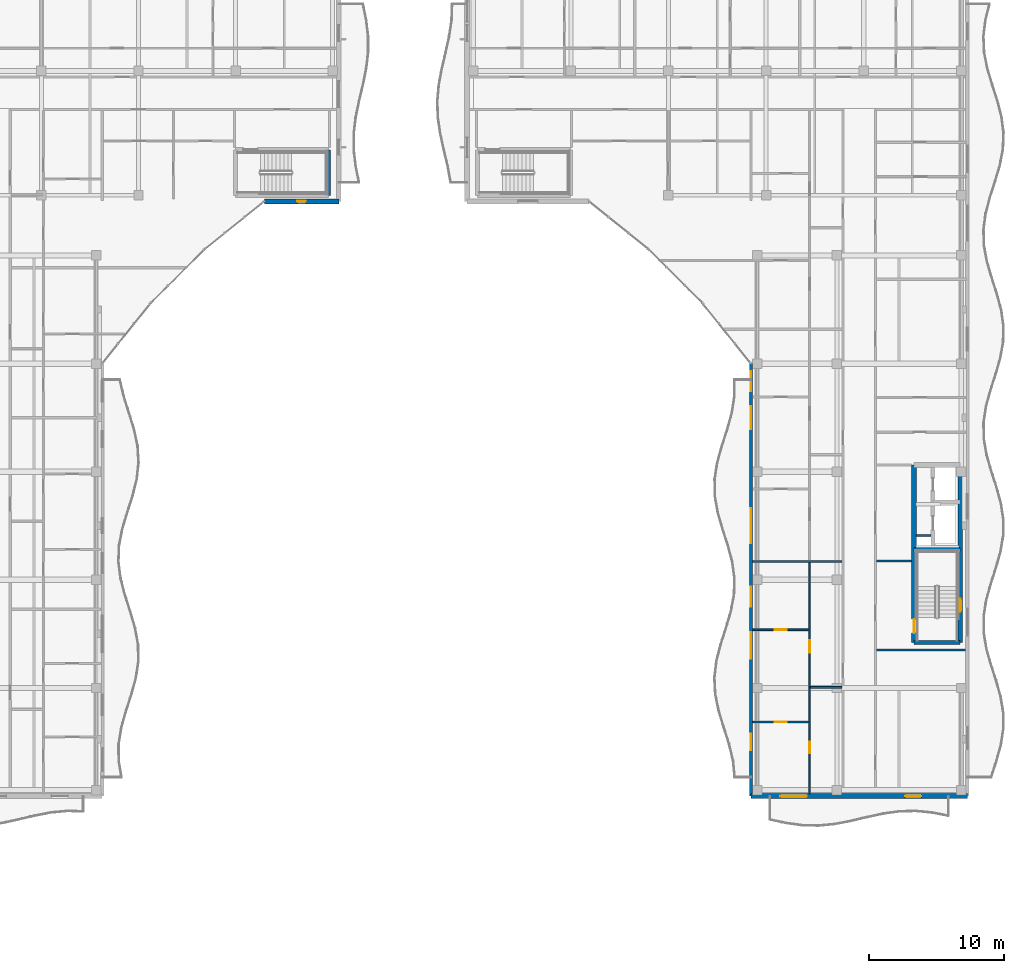
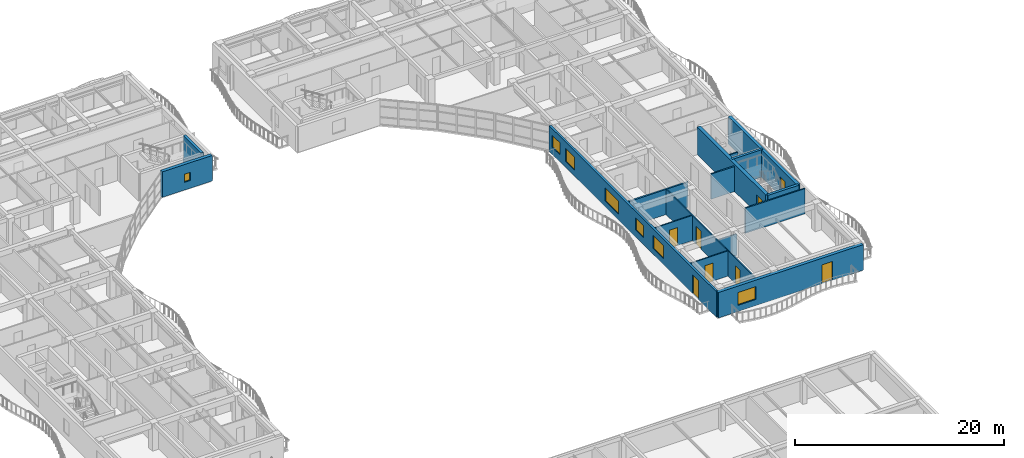
# One storey, part 59 of 89: 16 walls, 8 windows, 7 doors, 15 openings.
"""IFC4 building model written with IfcOpenShell, lengths in metres."""

from ifc_helpers import new_model, si_unit, direction, frame, frame_2d, origin, place, context, subcontext, project, spatial, rectangle, extrude, material, layer, layer_set, type_object, element, fill, save


model = new_model("IFC4")

# Units and contexts
model_context = context("Model", 3, precision=1e-05, world=origin(), true_north=direction((0.0, 1.0)))
body_context = subcontext(model_context, "Body", "Model", "MODEL_VIEW")
ifc_project = project(units=[si_unit("LENGTHUNIT", "METRE"), si_unit("AREAUNIT", "SQUARE_METRE"), si_unit("VOLUMEUNIT", "CUBIC_METRE"), si_unit("PLANEANGLEUNIT", "RADIAN"), si_unit("MASSUNIT", "GRAM", prefix="KILO")], contexts=[model_context])

# Site, building, storey
site_placement = place(None, origin())
site = spatial("IfcSite", under=ifc_project, at=site_placement, CompositionType="ELEMENT")
building_placement = place(site_placement, origin())
building = spatial("IfcBuilding", under=site, at=building_placement, Name="Keldmere Railside Commons", CompositionType="ELEMENT")
storey_placement = place(building_placement, frame((0.0, 0.0, 7.360107421875)))
storey = spatial("IfcBuildingStorey", under=building, at=storey_placement, Name="L02", CompositionType="ELEMENT", Elevation=7.360107421875)

# Wall
ifc_material_1 = material(Name="Acoustic Gypsum Board Partition", Category="gypsum")
ifc_layer_1 = layer(ifc_material_1, 0.179931640625, Name="Acoustic Demising Partition 180")
ifc_layer_set_1 = layer_set([ifc_layer_1], Name="Acoustic Gypsum Board Partition")
wall_type_1 = type_object("IfcWallType", Name="Acoustic Demising Partition 180", PredefinedType="PARTITIONING", material=ifc_layer_set_1)
wall_1_placement = place(storey_placement, frame((168.1201171875, 73.360107421875, 0.0), z_axis=(0.0, 0.0, 1.0), x_axis=(1.0, 0.0, 0.0)))
element("IfcWall", 1, at=wall_1_placement, inside=storey, type_object=wall_type_1, Name="IW-1 IW-L02-1473", PredefinedType="PARTITIONING", context=body_context, shape_type="SweptSolid", body=[
    extrude(rectangle(XDim=6.599853515625, YDim=0.179931640625, at=frame_2d((3.2998046875, 0.0))), origin(), (0.0, 0.0, 1.0), 2.934814453125),
])

# Wall, openings, doors
ifc_layer_2 = layer(ifc_material_1, 0.1201171875, Name="Apartment Interior Partition 120")
ifc_layer_set_2 = layer_set([ifc_layer_2], Name="Acoustic Gypsum Board Partition")
wall_type_2 = type_object("IfcWallType", Name="Apartment Interior Partition 120", PredefinedType="PARTITIONING", material=ifc_layer_set_2)
wall_2_placement = place(storey_placement, frame((172.340087890625, 56.179931640625, 0.0), z_axis=(0.0, 0.0, 1.0), x_axis=(0.0, 1.0, 0.0)))
wall_2 = element("IfcWall", 2, at=wall_2_placement, inside=storey, type_object=wall_type_2, Name="IW-4 IW-L02-1475", PredefinedType="PARTITIONING", context=body_context, shape_type="SweptSolid", body=[
    extrude(rectangle(XDim=17.090087890625, YDim=0.1201171875, at=frame_2d((8.544921875, 0.0))), origin(), (0.0, 0.0, 1.0), 2.934814453125),
])
opening_1_placement = place(wall_2_placement, frame((2.98681640625, 0.0, 0.0)))
opening_1 = element("IfcOpeningElement", 3, at=opening_1_placement, cuts=wall_2, Name="Opening ID-04", PredefinedType="OPENING", context=body_context, shape_type="SweptSolid", body=[
    extrude(rectangle(XDim=0.860107421875, YDim=2.10009765625, at=frame_2d((0.43017578125, 1.050048828125))), frame((0.0, 0.070068359375, 0.0), z_axis=(0.0, -1.0, 0.0), x_axis=(1.0, 0.0, 0.0)), (0.0, 0.0, 1.0), 0.14013671875),
])
opening_2_placement = place(wall_2_placement, frame((10.4443359375, 0.0, 0.0)))
opening_2 = element("IfcOpeningElement", 4, at=opening_2_placement, cuts=wall_2, Name="Opening ID-03", PredefinedType="OPENING", context=body_context, shape_type="SweptSolid", body=[
    extrude(rectangle(XDim=0.919921875, YDim=2.10009765625, at=frame_2d((0.4599609375, 1.050048828125))), frame((0.0, 0.070068359375, 0.0), z_axis=(0.0, -1.0, 0.0), x_axis=(1.0, 0.0, 0.0)), (0.0, 0.0, 1.0), 0.14013671875),
])
ifc_material_2 = material(Name="Engineered Oak Timber", Category="wood")
door_type_1 = type_object("IfcDoorType", Name="Apartment Bathroom Door 860x2100", OperationType="NOTDEFINED", PredefinedType="DOOR", material=ifc_material_2)
door_1_placement = place(opening_1_placement, origin())
door_1 = element("IfcDoor", 5, at=door_1_placement, inside=storey, type_object=door_type_1, Name="ID-04 IDR-L02-1318", OperationType="SINGLE_SWING_RIGHT", OverallHeight=2.10009765625, OverallWidth=0.860107421875, PredefinedType="DOOR", context=body_context, shape_type="SweptSolid", body=[
    extrude(rectangle(XDim=0.860107421875, YDim=2.10009765625, at=frame_2d((0.43017578125, 1.050048828125))), frame((0.0, 0.02490234375, 0.0), z_axis=(0.0, -1.0, 0.0), x_axis=(1.0, 0.0, 0.0)), (0.0, 0.0, 1.0), 0.050048828125),
])
fill(opening_1, door_1)
door_type_2 = type_object("IfcDoorType", Name="Kitchen Pocket-Frame Swing Door 920x2100", OperationType="NOTDEFINED", PredefinedType="DOOR", material=ifc_material_2)
door_2_placement = place(opening_2_placement, origin())
door_2 = element("IfcDoor", 6, at=door_2_placement, inside=storey, type_object=door_type_2, Name="ID-03 IDR-L02-1319", OperationType="SINGLE_SWING_LEFT", OverallHeight=2.10009765625, OverallWidth=0.919921875, PredefinedType="DOOR", context=body_context, shape_type="SweptSolid", body=[
    extrude(rectangle(XDim=0.919921875, YDim=2.10009765625, at=frame_2d((0.4599609375, 1.050048828125))), frame((0.0, 0.02490234375, 0.0), z_axis=(0.0, -1.0, 0.0), x_axis=(1.0, 0.0, 0.0)), (0.0, 0.0, 1.0), 0.050048828125),
])
fill(opening_2, door_2)

# Wall, opening, door
wall_3_placement = place(storey_placement, frame((168.1201171875, 61.47998046875, 0.0), z_axis=(0.0, 0.0, 1.0), x_axis=(1.0, 0.0, 0.0)))
wall_3 = element("IfcWall", 7, at=wall_3_placement, inside=storey, type_object=wall_type_2, Name="IW-4 IW-L02-1477", PredefinedType="PARTITIONING", context=body_context, shape_type="SweptSolid", body=[
    extrude(rectangle(XDim=4.159912109375, YDim=0.1201171875, at=frame_2d((2.080078125, 0.0))), origin(), (0.0, 0.0, 1.0), 2.934814453125),
])
opening_3_placement = place(wall_3_placement, frame((1.6298828125, 0.0, 0.0)))
opening_3 = element("IfcOpeningElement", 8, at=opening_3_placement, cuts=wall_3, Name="Opening ID-01", PredefinedType="OPENING", context=body_context, shape_type="SweptSolid", body=[
    extrude(rectangle(XDim=0.89990234375, YDim=2.10009765625, at=frame_2d((0.449951171875, 1.050048828125))), frame((0.0, 0.070068359375, 0.0), z_axis=(0.0, -1.0, 0.0), x_axis=(1.0, 0.0, 0.0)), (0.0, 0.0, 1.0), 0.14013671875),
])
door_type_3 = type_object("IfcDoorType", Name="Primary Bedroom Door 900x2100", OperationType="NOTDEFINED", PredefinedType="DOOR", material=ifc_material_2)
door_3_placement = place(opening_3_placement, origin())
door_3 = element("IfcDoor", 9, at=door_3_placement, inside=storey, type_object=door_type_3, Name="ID-01 IDR-L02-1321", OperationType="SINGLE_SWING_LEFT", OverallHeight=2.10009765625, OverallWidth=0.89990234375, PredefinedType="DOOR", context=body_context, shape_type="SweptSolid", body=[
    extrude(rectangle(XDim=0.89990234375, YDim=2.10009765625, at=frame_2d((0.449951171875, 1.050048828125))), frame((0.0, 0.02490234375, 0.0), z_axis=(0.0, -1.0, 0.0), x_axis=(1.0, 0.0, 0.0)), (0.0, 0.0, 1.0), 0.050048828125),
])
fill(opening_3, door_3)

wall_4_placement = place(storey_placement, frame((168.1201171875, 68.31005859375, 0.0), z_axis=(0.0, 0.0, 1.0), x_axis=(1.0, 0.0, 0.0)))
wall_4 = element("IfcWall", 10, at=wall_4_placement, inside=storey, type_object=wall_type_2, Name="IW-4 IW-L02-1478", PredefinedType="PARTITIONING", context=body_context, shape_type="SweptSolid", body=[
    extrude(rectangle(XDim=4.159912109375, YDim=0.1201171875, at=frame_2d((2.080078125, 0.0))), origin(), (0.0, 0.0, 1.0), 2.934814453125),
])
opening_4_placement = place(wall_4_placement, frame((1.639892578125, 0.0, 0.0)))
opening_4 = element("IfcOpeningElement", 11, at=opening_4_placement, cuts=wall_4, Name="Opening ID-02", PredefinedType="OPENING", context=body_context, shape_type="SweptSolid", body=[
    extrude(rectangle(XDim=0.8798828125, YDim=2.10009765625, at=frame_2d((0.43994140625, 1.050048828125))), frame((0.0, 0.070068359375, 0.0), z_axis=(0.0, -1.0, 0.0), x_axis=(1.0, 0.0, 0.0)), (0.0, 0.0, 1.0), 0.14013671875),
])
door_type_4 = type_object("IfcDoorType", Name="Secondary Bedroom Door 880x2100", OperationType="NOTDEFINED", PredefinedType="DOOR", material=ifc_material_2)
door_4_placement = place(opening_4_placement, origin())
door_4 = element("IfcDoor", 12, at=door_4_placement, inside=storey, type_object=door_type_4, Name="ID-02 IDR-L02-1322", OperationType="SINGLE_SWING_RIGHT", OverallHeight=2.10009765625, OverallWidth=0.8798828125, PredefinedType="DOOR", context=body_context, shape_type="SweptSolid", body=[
    extrude(rectangle(XDim=0.8798828125, YDim=2.10009765625, at=frame_2d((0.43994140625, 1.050048828125))), frame((0.0, 0.02490234375, 0.0), z_axis=(0.0, -1.0, 0.0), x_axis=(1.0, 0.0, 0.0)), (0.0, 0.0, 1.0), 0.050048828125),
])
fill(opening_4, door_4)

# Wall
ifc_material_3 = material(Name="Concrete H-35 (C35/45)", Category="concrete")
ifc_layer_3 = layer(ifc_material_3, 0.280029296875, Name="Core Shear Wall 280")
ifc_layer_set_3 = layer_set([ifc_layer_3], Name="Concrete H-35 (C35/45)")
wall_type_3 = type_object("IfcWallType", Name="Core Shear Wall 280", PredefinedType="SHEAR", material=ifc_layer_set_3)
wall_5_placement = place(storey_placement, frame((180.06005859375, 74.239990234375, 0.0), z_axis=(0.0, 0.0, 1.0), x_axis=(1.0, 0.0, 0.0)))
element("IfcWall", 13, at=wall_5_placement, inside=storey, type_object=wall_type_3, Name="CSW-2 COREAM-L02-0736", PredefinedType="SHEAR", context=body_context, shape_type="SweptSolid", body=[
    extrude(rectangle(XDim=3.409912109375, YDim=0.280029296875, at=frame_2d((1.705078125, 0.0))), origin(), (0.0, 0.0, 1.0), 3.199951171875),
])

# Wall, opening, door
ifc_material_4 = material(Name="Concrete H-40 (C40/50)", Category="concrete")
ifc_layer_4 = layer(ifc_material_4, 0.3798828125, Name="Core Shear Wall 380")
ifc_layer_set_4 = layer_set([ifc_layer_4], Name="Concrete H-40 (C40/50)")
wall_type_4 = type_object("IfcWallType", Name="Core Shear Wall 380", PredefinedType="SHEAR", material=ifc_layer_set_4)
wall_6_placement = place(storey_placement, frame((180.06005859375, 67.35009765625, 0.0), z_axis=(0.0, 0.0, 1.0), x_axis=(0.0, 1.0, 0.0)))
wall_6 = element("IfcWall", 14, at=wall_6_placement, inside=storey, type_object=wall_type_4, Name="CW-CORE COREAW-L02-0732", PredefinedType="SHEAR", context=body_context, shape_type="SweptSolid", body=[
    extrude(rectangle(XDim=13.14990234375, YDim=0.3798828125, at=frame_2d((6.574951171875, 0.0))), origin(), (0.0, 0.0, 1.0), 3.199951171875),
])
opening_5_placement = place(wall_6_placement, frame((0.699951171875, 0.0, 0.0)))
opening_5 = element("IfcOpeningElement", 15, at=opening_5_placement, cuts=wall_6, Name="Opening FD-1", PredefinedType="OPENING", context=body_context, shape_type="SweptSolid", body=[
    extrude(rectangle(XDim=1.050048828125, YDim=2.14990234375, at=frame_2d((0.52490234375, 1.074951171875))), frame((0.0, 0.199951171875, 0.0), z_axis=(0.0, -1.0, 0.0), x_axis=(1.0, 0.0, 0.0)), (0.0, 0.0, 1.0), 0.39990234375),
])
ifc_material_5 = material(Name="Steel F-24 (S235)", Category="steel")
door_type_5 = type_object("IfcDoorType", Name="Stair Core Fire Door 1050x2150", OperationType="NOTDEFINED", PredefinedType="DOOR", material=ifc_material_5)
door_5_placement = place(opening_5_placement, origin())
door_5 = element("IfcDoor", 16, at=door_5_placement, inside=storey, type_object=door_type_5, Name="FD-1 A1 L02", OperationType="SINGLE_SWING_LEFT", OverallHeight=2.14990234375, OverallWidth=1.050048828125, PredefinedType="DOOR", context=body_context, shape_type="SweptSolid", body=[
    extrude(rectangle(XDim=1.050048828125, YDim=2.14990234375, at=frame_2d((0.52490234375, 1.074951171875))), frame((0.0, 0.02490234375, 0.0), z_axis=(0.0, -1.0, 0.0), x_axis=(1.0, 0.0, 0.0)), (0.0, 0.0, 1.0), 0.050048828125),
])
fill(opening_5, door_5)

# Wall, opening, window
ifc_layer_5 = layer(ifc_material_3, 0.360107421875, Name="Exterior Shear Wall 360")
ifc_layer_set_5 = layer_set([ifc_layer_5], Name="Concrete H-35 (C35/45)")
wall_type_5 = type_object("IfcWallType", Name="Exterior Shear Wall 360", PredefinedType="SHEAR", material=ifc_layer_set_5)
wall_7_placement = place(storey_placement, frame((137.5, 100.0, 0.0), z_axis=(0.0, 0.0, 1.0), x_axis=(-1.0, 0.0, 0.0)))
wall_7 = element("IfcWall", 17, at=wall_7_placement, inside=storey, type_object=wall_type_5, Name="ESW-1 EXTB-L02-0595", PredefinedType="SHEAR", context=body_context, shape_type="SweptSolid", body=[
    extrude(rectangle(XDim=5.5, YDim=0.360107421875, at=frame_2d((2.75, 0.0))), origin(), (0.0, 0.0, 1.0), 2.97998046875),
])
opening_6_placement = place(wall_7_placement, frame((2.425048828125, 0.0, 0.89990234375)))
opening_6 = element("IfcOpeningElement", 18, at=opening_6_placement, cuts=wall_7, Name="Opening WN-15", PredefinedType="OPENING", context=body_context, shape_type="SweptSolid", body=[
    extrude(rectangle(XDim=0.64990234375, YDim=0.949951171875, at=frame_2d((0.324951171875, 0.47509765625))), frame((0.0, 0.18994140625, 0.0), z_axis=(0.0, -1.0, 0.0), x_axis=(1.0, 0.0, 0.0)), (0.0, 0.0, 1.0), 0.380126953125),
])
ifc_material_6 = material(Name="Low-E Insulated Double Glazing", Category="glass")
window_type_1 = type_object("IfcWindowType", Name="Exterior Bathroom Frosted Window 650x950", PartitioningType="SINGLE_PANEL", PredefinedType="WINDOW", material=ifc_material_6)
window_1_placement = place(opening_6_placement, origin())
window_1 = element("IfcWindow", 19, at=window_1_placement, inside=storey, type_object=window_type_1, Name="WN-15 WIN-L02-0387", OverallHeight=0.949951171875, OverallWidth=0.64990234375, PartitioningType="SINGLE_PANEL", PredefinedType="WINDOW", context=body_context, shape_type="SweptSolid", body=[
    extrude(rectangle(XDim=0.64990234375, YDim=0.949951171875, at=frame_2d((0.324951171875, 0.47509765625))), frame((0.0, 0.030029296875, 0.0), z_axis=(0.0, -1.0, 0.0), x_axis=(1.0, 0.0, 0.0)), (0.0, 0.0, 1.0), 0.06005859375),
])
fill(opening_6, window_1)

# Wall, openings, window, door
wall_8_placement = place(storey_placement, frame((184.0, 56.0, 0.0), z_axis=(0.0, 0.0, 1.0), x_axis=(-1.0, 0.0, 0.0)))
wall_8 = element("IfcWall", 20, at=wall_8_placement, inside=storey, type_object=wall_type_5, Name="ESW-1 EXTA-L02-0889", PredefinedType="SHEAR", context=body_context, shape_type="SweptSolid", body=[
    extrude(rectangle(XDim=16.0, YDim=0.360107421875, at=frame_2d((8.0, 0.0))), origin(), (0.0, 0.0, 1.0), 2.97998046875),
])
opening_7_placement = place(wall_8_placement, frame((3.39990234375, 0.0, 0.0)))
opening_7 = element("IfcOpeningElement", 21, at=opening_7_placement, cuts=wall_8, Name="Opening BD-01", PredefinedType="OPENING", context=body_context, shape_type="SweptSolid", body=[
    extrude(rectangle(XDim=1.199951171875, YDim=2.199951171875, at=frame_2d((0.60009765625, 1.10009765625))), frame((0.0, 0.18994140625, 0.0), z_axis=(0.0, -1.0, 0.0), x_axis=(1.0, 0.0, 0.0)), (0.0, 0.0, 1.0), 0.380126953125),
])
opening_8_placement = place(wall_8_placement, frame((11.875, 0.0, 0.719970703125)))
opening_8 = element("IfcOpeningElement", 22, at=opening_8_placement, cuts=wall_8, Name="Opening WN-38", PredefinedType="OPENING", context=body_context, shape_type="SweptSolid", body=[
    extrude(rectangle(XDim=1.949951171875, YDim=1.5, at=frame_2d((0.97509765625, 0.75))), frame((0.0, 0.18994140625, 0.0), z_axis=(0.0, -1.0, 0.0), x_axis=(1.0, 0.0, 0.0)), (0.0, 0.0, 1.0), 0.380126953125),
])
window_type_2 = type_object("IfcWindowType", Name="Adaptable Apartment Wide Window 1950x1500", PartitioningType="SINGLE_PANEL", PredefinedType="WINDOW", material=ifc_material_6)
window_2_placement = place(opening_8_placement, origin())
window_2 = element("IfcWindow", 23, at=window_2_placement, inside=storey, type_object=window_type_2, Name="WN-38 WIN-L02-0604", OverallHeight=1.5, OverallWidth=1.949951171875, PartitioningType="SINGLE_PANEL", PredefinedType="WINDOW", context=body_context, shape_type="SweptSolid", body=[
    extrude(rectangle(XDim=1.949951171875, YDim=1.5, at=frame_2d((0.97509765625, 0.75))), frame((0.0, 0.030029296875, 0.0), z_axis=(0.0, -1.0, 0.0), x_axis=(1.0, 0.0, 0.0)), (0.0, 0.0, 1.0), 0.06005859375),
])
fill(opening_8, window_2)
ifc_material_7 = material(Name="Thermally Broken Aluminium", Category="aluminium")
door_type_6 = type_object("IfcDoorType", Name="Apartment Living Wave-Balcony Glazed Door 1200x2200", OperationType="NOTDEFINED", PredefinedType="DOOR", material=ifc_material_7)
door_6_placement = place(opening_7_placement, origin())
door_6 = element("IfcDoor", 24, at=door_6_placement, inside=storey, type_object=door_type_6, Name="BD-01 DR-L02-0226", OperationType="SINGLE_SWING_RIGHT", OverallHeight=2.199951171875, OverallWidth=1.199951171875, PredefinedType="DOOR", context=body_context, shape_type="SweptSolid", body=[
    extrude(rectangle(XDim=1.199951171875, YDim=2.199951171875, at=frame_2d((0.60009765625, 1.10009765625))), frame((0.0, 0.02490234375, 0.0), z_axis=(0.0, -1.0, 0.0), x_axis=(1.0, 0.0, 0.0)), (0.0, 0.0, 1.0), 0.050048828125),
])
fill(opening_7, door_6)

# Walls
ifc_layer_6 = layer(ifc_material_3, 0.300048828125, Name="Interior Shear Wall 300")
ifc_layer_set_6 = layer_set([ifc_layer_6], Name="Concrete H-35 (C35/45)")
wall_type_6 = type_object("IfcWallType", Name="Interior Shear Wall 300", PredefinedType="SHEAR", material=ifc_layer_set_6)
wall_9_placement = place(storey_placement, frame((136.75, 100.449951171875, 0.0), z_axis=(0.0, 0.0, 1.0), x_axis=(0.0, 1.0, 0.0)))
element("IfcWall", 25, at=wall_9_placement, inside=storey, type_object=wall_type_6, Name="ISW-2 COREB2E-L02-0467", PredefinedType="SHEAR", context=body_context, shape_type="SweptSolid", body=[
    extrude(rectangle(XDim=3.3701171875, YDim=0.300048828125, at=frame_2d((1.68505859375, 0.0))), origin(), (0.0, 0.0, 1.0), 3.199951171875),
])
wall_10_placement = place(storey_placement, frame((183.469970703125, 67.35009765625, 0.0), z_axis=(0.0, 0.0, 1.0), x_axis=(-1.0, 0.0, 0.0)))
element("IfcWall", 26, at=wall_10_placement, inside=storey, type_object=wall_type_6, Name="ISW-2 COREAS-L02-0735", PredefinedType="SHEAR", context=body_context, shape_type="SweptSolid", body=[
    extrude(rectangle(XDim=3.409912109375, YDim=0.300048828125, at=frame_2d((1.705078125, 0.0))), origin(), (0.0, 0.0, 1.0), 3.199951171875),
])

# Wall, opening, window
ifc_layer_7 = layer(ifc_material_3, 0.340087890625, Name="Interior Shear Wall 340")
ifc_layer_set_7 = layer_set([ifc_layer_7], Name="Concrete H-35 (C35/45)")
wall_type_7 = type_object("IfcWallType", Name="Interior Shear Wall 340", PredefinedType="SHEAR", material=ifc_layer_set_7)
wall_11_placement = place(storey_placement, frame((183.469970703125, 80.5, 0.0), z_axis=(0.0, 0.0, 1.0), x_axis=(0.0, -1.0, 0.0)))
wall_11 = element("IfcWall", 27, at=wall_11_placement, inside=storey, type_object=wall_type_7, Name="ISW-1 COREAE-L02-0734", PredefinedType="SHEAR", context=body_context, shape_type="SweptSolid", body=[
    extrude(rectangle(XDim=13.14990234375, YDim=0.340087890625, at=frame_2d((6.574951171875, 0.0))), origin(), (0.0, 0.0, 1.0), 3.199951171875),
])
opening_9_placement = place(wall_11_placement, frame((9.89990234375, 0.0, 0.969970703125)))
opening_9 = element("IfcOpeningElement", 28, at=opening_9_placement, cuts=wall_11, Name="Opening WN-17", PredefinedType="OPENING", context=body_context, shape_type="SweptSolid", body=[
    extrude(rectangle(XDim=0.949951171875, YDim=1.25, at=frame_2d((0.47509765625, 0.625))), frame((0.0, 0.179931640625, 0.0), z_axis=(0.0, -1.0, 0.0), x_axis=(1.0, 0.0, 0.0)), (0.0, 0.0, 1.0), 0.360107421875),
])
window_type_3 = type_object("IfcWindowType", Name="Stair Core Natural Smoke-Vent Window 950x1250", PartitioningType="SINGLE_PANEL", PredefinedType="WINDOW", material=ifc_material_6)
window_3_placement = place(opening_9_placement, origin())
window_3 = element("IfcWindow", 29, at=window_3_placement, inside=storey, type_object=window_type_3, Name="WN-17 WIN-L02-0558", OverallHeight=1.25, OverallWidth=0.949951171875, PartitioningType="SINGLE_PANEL", PredefinedType="WINDOW", context=body_context, shape_type="SweptSolid", body=[
    extrude(rectangle(XDim=0.949951171875, YDim=1.25, at=frame_2d((0.47509765625, 0.625))), frame((0.0, 0.030029296875, 0.0), z_axis=(0.0, -1.0, 0.0), x_axis=(1.0, 0.0, 0.0)), (0.0, 0.0, 1.0), 0.06005859375),
])
fill(opening_9, window_3)

# Walls
ifc_layer_8 = layer(ifc_material_1, 0.14990234375, Name="Lobby Rated Partition 150")
ifc_layer_set_8 = layer_set([ifc_layer_8], Name="Acoustic Gypsum Board Partition")
wall_type_8 = type_object("IfcWallType", Name="Lobby Rated Partition 150", PredefinedType="PARTITIONING", material=ifc_layer_set_8)
wall_12_placement = place(storey_placement, frame((180.199951171875, 75.280029296875, 0.0), z_axis=(0.0, 0.0, 1.0), x_axis=(1.0, 0.0, 0.0)))
element("IfcWall", 30, at=wall_12_placement, inside=storey, type_object=wall_type_8, Name="IW-3 RSRNA-L02-0739", PredefinedType="PARTITIONING", context=body_context, shape_type="SweptSolid", body=[
    extrude(rectangle(XDim=1.130126953125, YDim=0.14990234375, at=frame_2d((0.56494140625, 0.0))), origin(), (0.0, 0.0, 1.0), 2.949951171875),
])
wall_13_placement = place(storey_placement, frame((177.280029296875, 66.820068359375, 0.0), z_axis=(0.0, 0.0, 1.0), x_axis=(1.0, 0.0, 0.0)))
element("IfcWall", 31, at=wall_13_placement, inside=storey, type_object=wall_type_8, Name="IW-3 IW-L02-1462", PredefinedType="PARTITIONING", context=body_context, shape_type="SweptSolid", body=[
    extrude(rectangle(XDim=6.599853515625, YDim=0.14990234375, at=frame_2d((3.2998046875, 0.0))), origin(), (0.0, 0.0, 1.0), 2.934814453125),
])
wall_14_placement = place(storey_placement, frame((177.280029296875, 73.3798828125, 0.0), z_axis=(0.0, 0.0, 1.0), x_axis=(1.0, 0.0, 0.0)))
element("IfcWall", 32, at=wall_14_placement, inside=storey, type_object=wall_type_8, Name="IW-3 IW-L02-1463", PredefinedType="PARTITIONING", context=body_context, shape_type="SweptSolid", body=[
    extrude(rectangle(XDim=2.590087890625, YDim=0.14990234375, at=frame_2d((1.294921875, 0.0))), origin(), (0.0, 0.0, 1.0), 2.934814453125),
])

# Wall, openings, windows, door
ifc_material_8 = material(Name="Architectural Precast Concrete H-35 (C35/45)", Category="concrete")
ifc_layer_9 = layer(ifc_material_8, 0.239990234375, Name="Sand-Ochre Precast Cavity Wall 240")
ifc_layer_set_9 = layer_set([ifc_layer_9], Name="Architectural Precast Concrete H-35 (C35/45)")
wall_type_9 = type_object("IfcWallType", Name="Sand-Ochre Precast Cavity Wall 240", PredefinedType="SOLIDWALL", material=ifc_layer_set_9)
wall_15_placement = place(storey_placement, frame((168.0, 56.0, 0.0), z_axis=(0.0, 0.0, 1.0), x_axis=(0.0, 1.0, 0.0)))
wall_15 = element("IfcWall", 33, at=wall_15_placement, inside=storey, type_object=wall_type_9, Name="EW-2 EXTA-L02-0894", PredefinedType="SOLIDWALL", context=body_context, shape_type="SweptSolid", body=[
    extrude(rectangle(XDim=32.0, YDim=0.239990234375, at=frame_2d((16.0, 0.0))), origin(), (0.0, 0.0, 1.0), 2.97998046875),
])
opening_10_placement = place(wall_15_placement, frame((3.39990234375, 0.0, 0.0)))
opening_10 = element("IfcOpeningElement", 34, at=opening_10_placement, cuts=wall_15, Name="Opening BD-01", PredefinedType="OPENING", context=body_context, shape_type="SweptSolid", body=[
    extrude(rectangle(XDim=1.199951171875, YDim=2.199951171875, at=frame_2d((0.60009765625, 1.10009765625))), frame((0.0, 0.1298828125, 0.0), z_axis=(0.0, -1.0, 0.0), x_axis=(1.0, 0.0, 0.0)), (0.0, 0.0, 1.0), 0.260009765625),
])
opening_11_placement = place(wall_15_placement, frame((10.175048828125, 0.0, 0.719970703125)))
opening_11 = element("IfcOpeningElement", 35, at=opening_11_placement, cuts=wall_15, Name="Opening WN-38", PredefinedType="OPENING", context=body_context, shape_type="SweptSolid", body=[
    extrude(rectangle(XDim=1.949951171875, YDim=1.5, at=frame_2d((0.97509765625, 0.75))), frame((0.0, 0.1298828125, 0.0), z_axis=(0.0, -1.0, 0.0), x_axis=(1.0, 0.0, 0.0)), (0.0, 0.0, 1.0), 0.260009765625),
])
opening_12_placement = place(wall_15_placement, frame((18.699951171875, 0.0, 0.669921875)))
opening_12 = element("IfcOpeningElement", 36, at=opening_12_placement, cuts=wall_15, Name="Opening WN-39", PredefinedType="OPENING", context=body_context, shape_type="SweptSolid", body=[
    extrude(rectangle(XDim=2.60009765625, YDim=1.550048828125, at=frame_2d((1.300048828125, 0.77490234375))), frame((0.0, 0.1298828125, 0.0), z_axis=(0.0, -1.0, 0.0), x_axis=(1.0, 0.0, 0.0)), (0.0, 0.0, 1.0), 0.260009765625),
])
opening_13_placement = place(wall_15_placement, frame((27.159912109375, 0.0, 0.719970703125)))
opening_13 = element("IfcOpeningElement", 37, at=opening_13_placement, cuts=wall_15, Name="Opening WN-40", PredefinedType="OPENING", context=body_context, shape_type="SweptSolid", body=[
    extrude(rectangle(XDim=1.679931640625, YDim=1.5, at=frame_2d((0.83984375, 0.75))), frame((0.0, 0.1298828125, 0.0), z_axis=(0.0, -1.0, 0.0), x_axis=(1.0, 0.0, 0.0)), (0.0, 0.0, 1.0), 0.260009765625),
])
opening_14_placement = place(wall_15_placement, frame((14.0009765625, 0.0, 0.820068359375)))
opening_14 = element("IfcOpeningElement", 38, at=opening_14_placement, cuts=wall_15, Name="Opening WN-06", PredefinedType="OPENING", context=body_context, shape_type="SweptSolid", body=[
    extrude(rectangle(XDim=1.5, YDim=1.39990234375, at=frame_2d((0.75, 0.699951171875))), frame((0.0, 0.1298828125, 0.0), z_axis=(0.0, -1.0, 0.0), x_axis=(1.0, 0.0, 0.0)), (0.0, 0.0, 1.0), 0.260009765625),
])
opening_15_placement = place(wall_15_placement, frame((29.949951171875, 0.0, 0.820068359375)))
opening_15 = element("IfcOpeningElement", 39, at=opening_15_placement, cuts=wall_15, Name="Opening WN-06", PredefinedType="OPENING", context=body_context, shape_type="SweptSolid", body=[
    extrude(rectangle(XDim=1.5, YDim=1.39990234375, at=frame_2d((0.75, 0.699951171875))), frame((0.0, 0.1298828125, 0.0), z_axis=(0.0, -1.0, 0.0), x_axis=(1.0, 0.0, 0.0)), (0.0, 0.0, 1.0), 0.260009765625),
])
window_4_placement = place(opening_11_placement, origin())
window_4 = element("IfcWindow", 40, at=window_4_placement, inside=storey, type_object=window_type_2, Name="WN-38 WIN-L02-0620", OverallHeight=1.5, OverallWidth=1.949951171875, PartitioningType="SINGLE_PANEL", PredefinedType="WINDOW", context=body_context, shape_type="SweptSolid", body=[
    extrude(rectangle(XDim=1.949951171875, YDim=1.5, at=frame_2d((0.97509765625, 0.75))), frame((0.0, 0.030029296875, 0.0), z_axis=(0.0, -1.0, 0.0), x_axis=(1.0, 0.0, 0.0)), (0.0, 0.0, 1.0), 0.06005859375),
])
fill(opening_11, window_4)
door_7_placement = place(opening_10_placement, origin())
door_7 = element("IfcDoor", 41, at=door_7_placement, inside=storey, type_object=door_type_6, Name="BD-01 DR-L02-0231", OperationType="SINGLE_SWING_LEFT", OverallHeight=2.199951171875, OverallWidth=1.199951171875, PredefinedType="DOOR", context=body_context, shape_type="SweptSolid", body=[
    extrude(rectangle(XDim=1.199951171875, YDim=2.199951171875, at=frame_2d((0.60009765625, 1.10009765625))), frame((0.0, 0.02490234375, 0.0), z_axis=(0.0, -1.0, 0.0), x_axis=(1.0, 0.0, 0.0)), (0.0, 0.0, 1.0), 0.050048828125),
])
fill(opening_10, door_7)
window_type_4 = type_object("IfcWindowType", Name="Primary Bedroom North Window 1500x1400", PartitioningType="SINGLE_PANEL", PredefinedType="WINDOW", material=ifc_material_6)
window_5_placement = place(opening_14_placement, origin())
window_5 = element("IfcWindow", 42, at=window_5_placement, inside=storey, type_object=window_type_4, Name="WN-06 WIN-L02-9017", OverallHeight=1.39990234375, OverallWidth=1.5, PartitioningType="SINGLE_PANEL", PredefinedType="WINDOW", context=body_context, shape_type="SweptSolid", body=[
    extrude(rectangle(XDim=1.5, YDim=1.39990234375, at=frame_2d((0.75, 0.699951171875))), frame((0.0, 0.030029296875, 0.0), z_axis=(0.0, -1.0, 0.0), x_axis=(1.0, 0.0, 0.0)), (0.0, 0.0, 1.0), 0.06005859375),
])
fill(opening_14, window_5)
window_6_placement = place(opening_15_placement, origin())
window_6 = element("IfcWindow", 43, at=window_6_placement, inside=storey, type_object=window_type_4, Name="WN-06 WIN-L02-9018", OverallHeight=1.39990234375, OverallWidth=1.5, PartitioningType="SINGLE_PANEL", PredefinedType="WINDOW", context=body_context, shape_type="SweptSolid", body=[
    extrude(rectangle(XDim=1.5, YDim=1.39990234375, at=frame_2d((0.75, 0.699951171875))), frame((0.0, 0.030029296875, 0.0), z_axis=(0.0, -1.0, 0.0), x_axis=(1.0, 0.0, 0.0)), (0.0, 0.0, 1.0), 0.06005859375),
])
fill(opening_15, window_6)
window_type_5 = type_object("IfcWindowType", Name="Three-Bed Corner Living Window 2600x1550", PartitioningType="SINGLE_PANEL", PredefinedType="WINDOW", material=ifc_material_6)
window_7_placement = place(opening_12_placement, origin())
window_7 = element("IfcWindow", 44, at=window_7_placement, inside=storey, type_object=window_type_5, Name="WN-39 WIN-L02-0621", OverallHeight=1.550048828125, OverallWidth=2.60009765625, PartitioningType="SINGLE_PANEL", PredefinedType="WINDOW", context=body_context, shape_type="SweptSolid", body=[
    extrude(rectangle(XDim=2.60009765625, YDim=1.550048828125, at=frame_2d((1.300048828125, 0.77490234375))), frame((0.0, 0.030029296875, 0.0), z_axis=(0.0, -1.0, 0.0), x_axis=(1.0, 0.0, 0.0)), (0.0, 0.0, 1.0), 0.06005859375),
])
fill(opening_12, window_7)
window_type_6 = type_object("IfcWindowType", Name="Two-Bed Dining Casement Window 1680x1500", PartitioningType="SINGLE_PANEL", PredefinedType="WINDOW", material=ifc_material_6)
window_8_placement = place(opening_13_placement, origin())
window_8 = element("IfcWindow", 45, at=window_8_placement, inside=storey, type_object=window_type_6, Name="WN-40 WIN-L02-0622", OverallHeight=1.5, OverallWidth=1.679931640625, PartitioningType="SINGLE_PANEL", PredefinedType="WINDOW", context=body_context, shape_type="SweptSolid", body=[
    extrude(rectangle(XDim=1.679931640625, YDim=1.5, at=frame_2d((0.83984375, 0.75))), frame((0.0, 0.030029296875, 0.0), z_axis=(0.0, -1.0, 0.0), x_axis=(1.0, 0.0, 0.0)), (0.0, 0.0, 1.0), 0.06005859375),
])
fill(opening_13, window_8)

# Wall
ifc_layer_10 = layer(ifc_material_1, 0.139892578125, Name="Wet-Room Sanitary Partition 140")
ifc_layer_set_10 = layer_set([ifc_layer_10], Name="Acoustic Gypsum Board Partition")
wall_type_10 = type_object("IfcWallType", Name="Wet-Room Sanitary Partition 140", PredefinedType="PARTITIONING", material=ifc_layer_set_10)
wall_16_placement = place(storey_placement, frame((172.39990234375, 64.0400390625, 0.0), z_axis=(0.0, 0.0, 1.0), x_axis=(1.0, 0.0, 0.0)))
element("IfcWall", 46, at=wall_16_placement, inside=storey, type_object=wall_type_10, Name="IW-5 IW-L02-1476", PredefinedType="PARTITIONING", context=body_context, shape_type="SweptSolid", body=[
    extrude(rectangle(XDim=2.320068359375, YDim=0.139892578125, at=frame_2d((1.16015625, 0.0))), origin(), (0.0, 0.0, 1.0), 2.52978515625),
])

save(model, "model.ifc")
